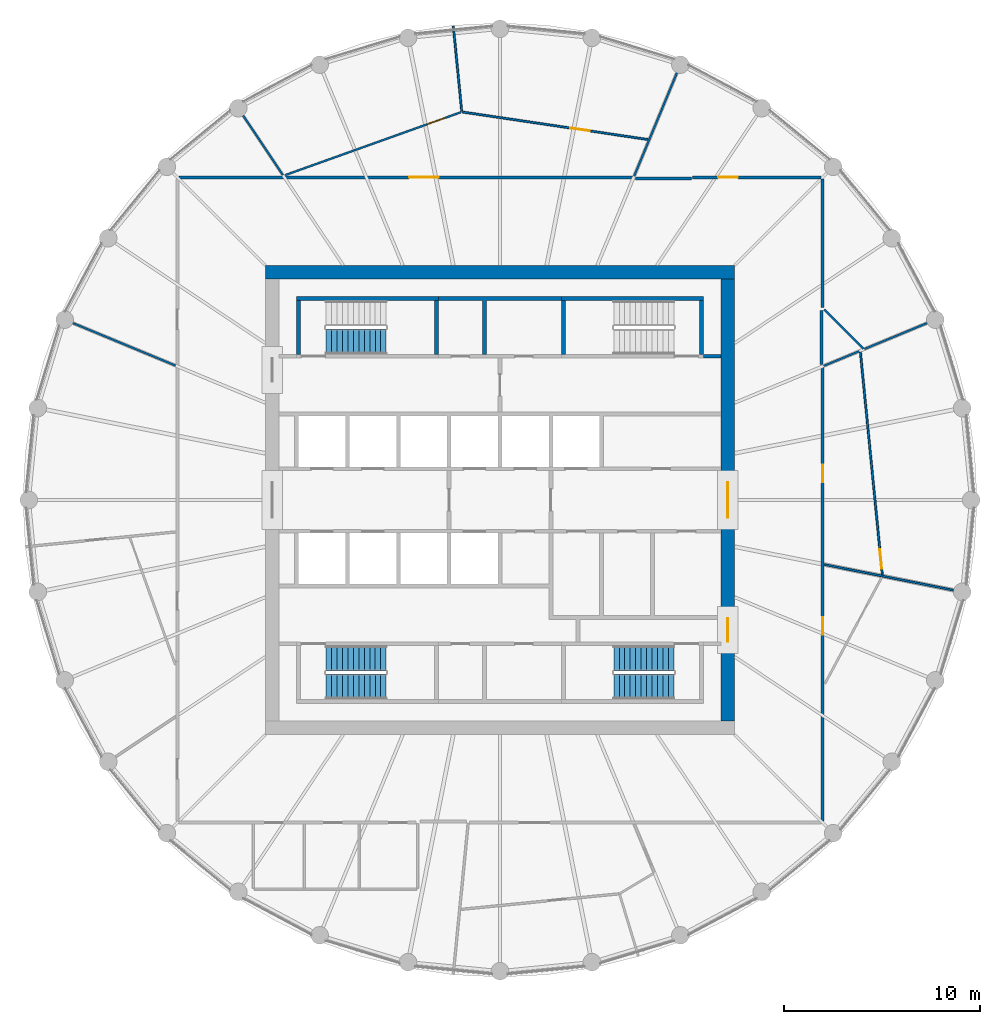
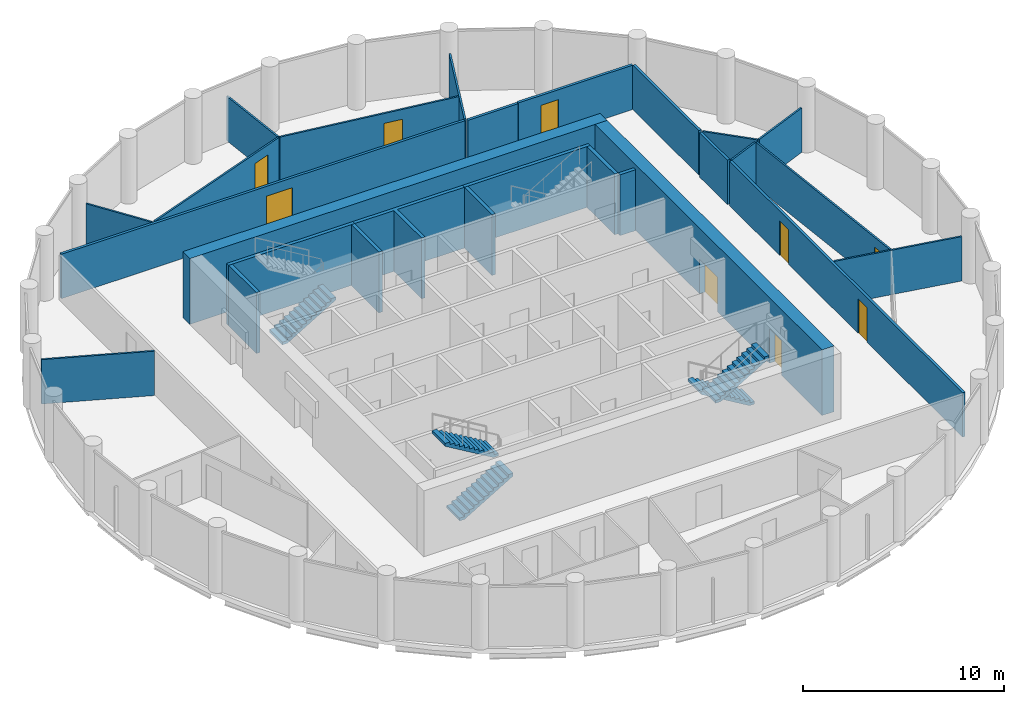
# One storey, part 6 of 8: 27 walls, 9 doors, 5 stair flights, 9 openings, 3 elements without a shape of their own.
"""IFC4 building model written with IfcOpenShell, lengths in metres."""

from ifc_helpers import new_model, si_unit, direction, frame, frame_2d, origin, place, context, subcontext, project, spatial, polyline, rectangle, outline, extrude, material, layer, layer_set, type_object, element, fill, aggregate, save


model = new_model("IFC4")

# Units and contexts
model_context = context("Model", 3, precision=1e-05, world=origin(), true_north=direction((0.0, 1.0)))
body_context = subcontext(model_context, "Body", "Model", "MODEL_VIEW")
ifc_project = project(units=[si_unit("LENGTHUNIT", "METRE"), si_unit("AREAUNIT", "SQUARE_METRE"), si_unit("VOLUMEUNIT", "CUBIC_METRE"), si_unit("PLANEANGLEUNIT", "RADIAN"), si_unit("MASSUNIT", "GRAM", prefix="KILO")], contexts=[model_context])

# Site, building, storey
site_placement = place(None, origin())
site = spatial("IfcSite", under=ifc_project, at=site_placement, CompositionType="ELEMENT")
building_placement = place(site_placement, origin())
building = spatial("IfcBuilding", under=site, at=building_placement, Name="Corvane Civic Tower", CompositionType="ELEMENT")
storey_placement = place(building_placement, frame((0.0, 0.0, 299.0)))
storey = spatial("IfcBuildingStorey", under=building, at=storey_placement, Name="L71", CompositionType="ELEMENT", Elevation=299.0)

# Wall
ifc_material_1 = material(Name="Concrete C40/50", Category="concrete")
ifc_layer_1 = layer(ifc_material_1, 0.699951171875)
ifc_layer_set_1 = layer_set([ifc_layer_1], Name="Concrete C40/50")
wall_type_1 = type_object("IfcWallType", Name="CORE WALL 700 C40/50", PredefinedType="SHEAR", material=ifc_layer_set_1)
wall_1_placement = place(storey_placement, frame((-12.0, 11.64990234375, 0.0), z_axis=(0.0, 0.0, 1.0), x_axis=(1.0, 0.0, 0.0)))
element("IfcWall", 1, at=wall_1_placement, inside=storey, type_object=wall_type_1, Name="W-L71-core-N", PredefinedType="SHEAR", context=body_context, shape_type="SweptSolid", body=[
    extrude(rectangle(XDim=24.0, YDim=0.699951171875, at=frame_2d((12.0, 0.0))), origin(), (0.0, 0.0, 1.0), 4.0),
])

# Wall, openings, doors
wall_2_placement = place(storey_placement, frame((11.64990234375, -11.300048828125, 0.0), z_axis=(0.0, 0.0, 1.0), x_axis=(0.0, 1.0, 0.0)))
wall_2 = element("IfcWall", 2, at=wall_2_placement, inside=storey, type_object=wall_type_1, Name="W-L71-core-E", PredefinedType="SHEAR", context=body_context, shape_type="SweptSolid", body=[
    extrude(rectangle(XDim=22.60009765625, YDim=0.699951171875, at=frame_2d((11.300048828125, 0.0))), origin(), (0.0, 0.0, 1.0), 4.0),
])
opening_1_placement = place(wall_2_placement, frame((10.39990234375, 0.0, 0.0)))
opening_1 = element("IfcOpeningElement", 3, at=opening_1_placement, cuts=wall_2, Name="Opening L71.C18", PredefinedType="OPENING", context=body_context, shape_type="SweptSolid", body=[
    extrude(rectangle(XDim=1.800048828125, YDim=2.10009765625, at=frame_2d((0.89990234375, 1.050048828125))), frame((0.0, 0.35986328125, 0.0), z_axis=(0.0, -1.0, 0.0), x_axis=(1.0, 0.0, 0.0)), (0.0, 0.0, 1.0), 0.719970703125),
])
opening_2_placement = place(wall_2_placement, frame((4.050048828125, 0.0, 0.0)))
opening_2 = element("IfcOpeningElement", 4, at=opening_2_placement, cuts=wall_2, Name="Opening L71.C20", PredefinedType="OPENING", context=body_context, shape_type="SweptSolid", body=[
    extrude(rectangle(XDim=1.199951171875, YDim=2.10009765625, at=frame_2d((0.60009765625, 1.050048828125))), frame((0.0, 0.35986328125, 0.0), z_axis=(0.0, -1.0, 0.0), x_axis=(1.0, 0.0, 0.0)), (0.0, 0.0, 1.0), 0.719970703125),
])
ifc_material_2 = material(Name="Steel fire door leaf", Category="steel")
door_type_1 = type_object("IfcDoorType", Name="CR-DOOR-CORE-1800", OperationType="DOUBLE_DOOR_SINGLE_SWING", PredefinedType="DOOR", material=ifc_material_2)
door_1_placement = place(opening_1_placement, origin())
door_1 = element("IfcDoor", 5, at=door_1_placement, inside=storey, type_object=door_type_1, Name="L71 door", OperationType="DOUBLE_DOOR_SINGLE_SWING", OverallHeight=2.10009765625, OverallWidth=1.800048828125, PredefinedType="DOOR", context=body_context, shape_type="SweptSolid", body=[
    extrude(rectangle(XDim=1.800048828125, YDim=2.10009765625, at=frame_2d((0.89990234375, 1.050048828125))), frame((0.0, 0.02490234375, 0.0), z_axis=(0.0, -1.0, 0.0), x_axis=(1.0, 0.0, 0.0)), (0.0, 0.0, 1.0), 0.050048828125),
])
fill(opening_1, door_1)
door_2_placement = place(opening_2_placement, origin())
door_2 = element("IfcDoor", 6, at=door_2_placement, inside=storey, type_object=door_type_1, Name="L71 door", OperationType="DOUBLE_DOOR_SINGLE_SWING", OverallHeight=2.10009765625, OverallWidth=1.199951171875, PredefinedType="DOOR", context=body_context, shape_type="SweptSolid", body=[
    extrude(rectangle(XDim=1.199951171875, YDim=2.10009765625, at=frame_2d((0.60009765625, 1.050048828125))), frame((0.0, 0.02490234375, 0.0), z_axis=(0.0, -1.0, 0.0), x_axis=(1.0, 0.0, 0.0)), (0.0, 0.0, 1.0), 0.050048828125),
])
fill(opening_2, door_2)

# Walls
ifc_material_3 = material(Name="Concrete C30/37", Category="concrete")
ifc_layer_2 = layer(ifc_material_3, 0.199951171875)
ifc_layer_set_2 = layer_set([ifc_layer_2], Name="Concrete C30/37")
wall_type_2 = type_object("IfcWallType", Name="CR-WALL-200", PredefinedType="PARTITIONING", material=ifc_layer_set_2)
wall_3_placement = place(storey_placement, origin())
element("IfcWall", 7, at=wall_3_placement, inside=storey, type_object=wall_type_2, Name="L71 core partition wall", PredefinedType="PARTITIONING", context=body_context, shape_type="SweptSolid", body=[
    extrude(outline(polyline([(3.14990234375, 10.39990234375), (3.14990234375, 10.199951171875), (-0.699951171875, 10.199951171875), (-0.699951171875, 7.449951171875), (-0.89990234375, 7.449951171875), (-0.89990234375, 10.199951171875), (-3.14990234375, 10.199951171875), (-3.14990234375, 10.39990234375), (3.14990234375, 10.39990234375)])), origin(), (0.0, 0.0, 1.0), 3.699951171875),
])
wall_4_placement = place(storey_placement, origin())
element("IfcWall", 8, at=wall_4_placement, inside=storey, type_object=wall_type_2, Name="L71 core partition wall", PredefinedType="PARTITIONING", context=body_context, shape_type="SweptSolid", body=[
    extrude(outline(polyline([(10.39990234375, 7.25), (10.39990234375, 7.449951171875), (11.300048828125, 7.449951171875), (11.300048828125, 7.25), (10.39990234375, 7.25)])), origin(), (0.0, 0.0, 1.0), 3.699951171875),
])
ifc_material_4 = material(Name="Plasterboard")
ifc_layer_3 = layer(ifc_material_4, 0.10009765625)
ifc_layer_set_3 = layer_set([ifc_layer_3], Name="Plasterboard")
wall_type_3 = type_object("IfcWallType", Name="Partition 100 plasterboard on studs", PredefinedType="PARTITIONING", material=ifc_layer_set_3)
wall_5_placement = place(storey_placement, frame((16.584716796875, -3.298828125, 0.0), z_axis=(0.0, 0.0, 1.0), x_axis=(0.980786617104, -0.195083601849, 0.0)))
element("IfcWall", 9, at=wall_5_placement, inside=storey, type_object=wall_type_3, Name="Partition L71.020", PredefinedType="PARTITIONING", context=body_context, shape_type="SweptSolid", body=[
    extrude(rectangle(XDim=6.73046875, YDim=0.10009765625, at=frame_2d((3.365234375, 0.0))), origin(), (0.0, 0.0, 1.0), 2.699951171875),
])

# Wall, opening, door
wall_6_placement = place(storey_placement, frame((18.433349609375, 7.5654296875, 0.0), z_axis=(0.0, 0.0, 1.0), x_axis=(0.09802300412, -0.995184149122, 0.0)))
wall_6 = element("IfcWall", 10, at=wall_6_placement, inside=storey, type_object=wall_type_3, Name="Partition L71.021", PredefinedType="PARTITIONING", context=body_context, shape_type="SweptSolid", body=[
    extrude(rectangle(XDim=11.444580078125, YDim=0.10009765625, at=frame_2d((5.72216796875, 0.0))), origin(), (0.0, 0.0, 1.0), 2.699951171875),
])
opening_3_placement = place(wall_6_placement, frame((10.14208984375, 0.0, 0.0)))
opening_3 = element("IfcOpeningElement", 11, at=opening_3_placement, cuts=wall_6, Name="Opening L71.002", PredefinedType="OPENING", context=body_context, shape_type="SweptSolid", body=[
    extrude(rectangle(XDim=1.0, YDim=2.10009765625, at=frame_2d((0.5, 1.050048828125))), frame((0.0, 0.06005859375, 0.0), z_axis=(0.0, -1.0, 0.0), x_axis=(1.0, 0.0, 0.0)), (0.0, 0.0, 1.0), 0.1201171875),
])
ifc_material_5 = material(Name="Timber", Category="wood")
door_type_2 = type_object("IfcDoorType", Name="Single door 1000", OperationType="NOTDEFINED", PredefinedType="DOOR", material=ifc_material_5)
door_3_placement = place(opening_3_placement, origin())
door_3 = element("IfcDoor", 12, at=door_3_placement, inside=storey, type_object=door_type_2, Name="Door L71.002", OperationType="SINGLE_SWING_LEFT", OverallHeight=2.10009765625, OverallWidth=1.0, PredefinedType="DOOR", context=body_context, shape_type="SweptSolid", body=[
    extrude(rectangle(XDim=1.0, YDim=2.10009765625, at=frame_2d((0.5, 1.050048828125))), frame((0.0, 0.02490234375, 0.0), z_axis=(0.0, -1.0, 0.0), x_axis=(1.0, 0.0, 0.0)), (0.0, 0.0, 1.0), 0.050048828125),
])
fill(opening_3, door_3)

# Walls
wall_7_placement = place(storey_placement, frame((16.55908203125, 6.85888671875, 0.0), z_axis=(0.0, 0.0, 1.0), x_axis=(0.923884360021, 0.382671777518, 0.0)))
element("IfcWall", 13, at=wall_7_placement, inside=storey, type_object=wall_type_3, Name="Partition L71.023", PredefinedType="PARTITIONING", context=body_context, shape_type="SweptSolid", body=[
    extrude(rectangle(XDim=1.9541015625, YDim=0.10009765625, at=frame_2d((0.97705078125, 0.0))), origin(), (0.0, 0.0, 1.0), 2.699951171875),
])
wall_8_placement = place(storey_placement, frame((-21.84033203125, 9.046630859375, 0.0), z_axis=(0.0, 0.0, 1.0), x_axis=(0.9238800682, -0.382682139097, 0.0)))
element("IfcWall", 14, at=wall_8_placement, inside=storey, type_object=wall_type_3, Name="Partition L71.024", PredefinedType="PARTITIONING", context=body_context, shape_type="SweptSolid", body=[
    extrude(rectangle(XDim=5.6787109375, YDim=0.10009765625, at=frame_2d((2.83935546875, 0.0))), origin(), (0.0, 0.0, 1.0), 2.699951171875),
])
wall_9_placement = place(storey_placement, frame((18.642578125, 7.721923828125, 0.0), z_axis=(0.0, 0.0, 1.0), x_axis=(0.923863801969, 0.382721407046, 0.0)))
element("IfcWall", 15, at=wall_9_placement, inside=storey, type_object=wall_type_3, Name="Partition L71.026", PredefinedType="PARTITIONING", context=body_context, shape_type="SweptSolid", body=[
    extrude(rectangle(XDim=3.461181640625, YDim=0.10009765625, at=frame_2d((1.73046875, 0.0))), origin(), (0.0, 0.0, 1.0), 2.699951171875),
])
wall_10_placement = place(storey_placement, frame((16.575439453125, 9.74560546875, 0.0), z_axis=(0.0, 0.0, 1.0), x_axis=(0.707106781187, -0.707106781187, 0.0)))
element("IfcWall", 16, at=wall_10_placement, inside=storey, type_object=wall_type_3, Name="Partition L71.027", PredefinedType="PARTITIONING", context=body_context, shape_type="SweptSolid", body=[
    extrude(rectangle(XDim=2.846435546875, YDim=0.10009765625, at=frame_2d((1.42333984375, 0.0))), origin(), (0.0, 0.0, 1.0), 2.699951171875),
])
wall_11_placement = place(storey_placement, frame((6.86328125, 16.569091796875, 0.0), z_axis=(0.0, 0.0, 1.0), x_axis=(0.382673022153, 0.923883844494, 0.0)))
element("IfcWall", 17, at=wall_11_placement, inside=storey, type_object=wall_type_3, Name="Partition L71.032", PredefinedType="PARTITIONING", context=body_context, shape_type="SweptSolid", body=[
    extrude(rectangle(XDim=5.70556640625, YDim=0.10009765625, at=frame_2d((2.852783203125, 0.0))), origin(), (0.0, 0.0, 1.0), 2.699951171875),
])
wall_12_placement = place(storey_placement, frame((-13.133544921875, 19.656005859375, 0.0), z_axis=(0.0, 0.0, 1.0), x_axis=(0.555547507872, -0.831484796311, 0.0)))
element("IfcWall", 18, at=wall_12_placement, inside=storey, type_object=wall_type_3, Name="Partition L71.033", PredefinedType="PARTITIONING", context=body_context, shape_type="SweptSolid", body=[
    extrude(rectangle(XDim=3.65576171875, YDim=0.10009765625, at=frame_2d((1.827880859375, 0.0))), origin(), (0.0, 0.0, 1.0), 2.699951171875),
])

# Wall, opening, door
wall_13_placement = place(storey_placement, frame((-10.973388671875, 16.6220703125, 0.0), z_axis=(0.0, 0.0, 1.0), x_axis=(0.94154661976, 0.336882713743, 0.0)))
wall_13 = element("IfcWall", 19, at=wall_13_placement, inside=storey, type_object=wall_type_3, Name="Partition L71.034", PredefinedType="PARTITIONING", context=body_context, shape_type="SweptSolid", body=[
    extrude(rectangle(XDim=9.539306640625, YDim=0.10009765625, at=frame_2d((4.76953125, 0.0))), origin(), (0.0, 0.0, 1.0), 2.699951171875),
])
opening_4_placement = place(wall_13_placement, frame((7.69580078125, 0.0, 0.0)))
opening_4 = element("IfcOpeningElement", 20, at=opening_4_placement, cuts=wall_13, Name="Opening L71.017", PredefinedType="OPENING", context=body_context, shape_type="SweptSolid", body=[
    extrude(rectangle(XDim=1.0, YDim=2.10009765625, at=frame_2d((0.5, 1.050048828125))), frame((0.0, 0.06005859375, 0.0), z_axis=(0.0, -1.0, 0.0), x_axis=(1.0, 0.0, 0.0)), (0.0, 0.0, 1.0), 0.1201171875),
])
door_4_placement = place(opening_4_placement, origin())
door_4 = element("IfcDoor", 21, at=door_4_placement, inside=storey, type_object=door_type_2, Name="Door L71.017", OperationType="SINGLE_SWING_LEFT", OverallHeight=2.10009765625, OverallWidth=1.0, PredefinedType="DOOR", context=body_context, shape_type="SweptSolid", body=[
    extrude(rectangle(XDim=1.0, YDim=2.10009765625, at=frame_2d((0.5, 1.050048828125))), frame((0.0, 0.02490234375, 0.0), z_axis=(0.0, -1.0, 0.0), x_axis=(1.0, 0.0, 0.0)), (0.0, 0.0, 1.0), 0.050048828125),
])
fill(opening_4, door_4)

wall_14_placement = place(storey_placement, frame((-1.916259765625, 19.843017578125, 0.0), z_axis=(0.0, 0.0, 1.0), x_axis=(0.989177063475, -0.146726742943, 0.0)))
wall_14 = element("IfcWall", 22, at=wall_14_placement, inside=storey, type_object=wall_type_3, Name="Partition L71.035", PredefinedType="PARTITIONING", context=body_context, shape_type="SweptSolid", body=[
    extrude(rectangle(XDim=9.589111328125, YDim=0.10009765625, at=frame_2d((4.79443359375, 0.0))), origin(), (0.0, 0.0, 1.0), 2.699951171875),
])
opening_5_placement = place(wall_14_placement, frame((5.57763671875, 0.0, 0.0)))
opening_5 = element("IfcOpeningElement", 23, at=opening_5_placement, cuts=wall_14, Name="Opening L71.018", PredefinedType="OPENING", context=body_context, shape_type="SweptSolid", body=[
    extrude(rectangle(XDim=1.0, YDim=2.10009765625, at=frame_2d((0.5, 1.050048828125))), frame((0.0, 0.06005859375, 0.0), z_axis=(0.0, -1.0, 0.0), x_axis=(1.0, 0.0, 0.0)), (0.0, 0.0, 1.0), 0.1201171875),
])
door_5_placement = place(opening_5_placement, origin())
door_5 = element("IfcDoor", 24, at=door_5_placement, inside=storey, type_object=door_type_2, Name="Door L71.018", OperationType="SINGLE_SWING_RIGHT", OverallHeight=2.10009765625, OverallWidth=1.0, PredefinedType="DOOR", context=body_context, shape_type="SweptSolid", body=[
    extrude(rectangle(XDim=1.0, YDim=2.10009765625, at=frame_2d((0.5, 1.050048828125))), frame((0.0, 0.02490234375, 0.0), z_axis=(0.0, -1.0, 0.0), x_axis=(1.0, 0.0, 0.0)), (0.0, 0.0, 1.0), 0.050048828125),
])
fill(opening_5, door_5)

# Walls
wall_15_placement = place(storey_placement, frame((-2.38671875, 24.23291015625, 0.0), z_axis=(0.0, 0.0, 1.0), x_axis=(0.098019909414, -0.995184453937, 0.0)))
element("IfcWall", 25, at=wall_15_placement, inside=storey, type_object=wall_type_3, Name="Partition L71.036", PredefinedType="PARTITIONING", context=body_context, shape_type="SweptSolid", body=[
    extrude(rectangle(XDim=4.3662109375, YDim=0.10009765625, at=frame_2d((2.18310546875, 0.0))), origin(), (0.0, 0.0, 1.0), 2.699951171875),
])
ifc_material_6 = material(Name="Concrete C50/60", Category="concrete")
ifc_layer_4 = layer(ifc_material_6, 0.199951171875)
ifc_layer_set_4 = layer_set([ifc_layer_4], Name="Concrete C50/60")
wall_type_4 = type_object("IfcWallType", Name="ST-WALL-200", PredefinedType="SHEAR", material=ifc_layer_set_4)
wall_16_placement = place(storey_placement, origin())
element("IfcWall", 26, at=wall_16_placement, inside=storey, type_object=wall_type_4, Name="L71 stair enclosure wall", PredefinedType="SHEAR", context=body_context, shape_type="SweptSolid", body=[
    extrude(outline(polyline([(-3.14990234375, 10.199951171875), (-10.39990234375, 10.199951171875), (-10.39990234375, 10.39990234375), (-3.14990234375, 10.39990234375), (-3.14990234375, 10.199951171875)])), origin(), (0.0, 0.0, 1.0), 3.699951171875),
])
wall_17_placement = place(storey_placement, origin())
element("IfcWall", 27, at=wall_17_placement, inside=storey, type_object=wall_type_4, Name="L71 stair enclosure wall", PredefinedType="SHEAR", context=body_context, shape_type="SweptSolid", body=[
    extrude(outline(polyline([(10.39990234375, 10.199951171875), (3.14990234375, 10.199951171875), (3.14990234375, 10.39990234375), (10.39990234375, 10.39990234375), (10.39990234375, 10.199951171875)])), origin(), (0.0, 0.0, 1.0), 3.699951171875),
])
wall_18_placement = place(storey_placement, origin())
element("IfcWall", 28, at=wall_18_placement, inside=storey, type_object=wall_type_4, Name="L71 stair enclosure wall", PredefinedType="SHEAR", context=body_context, shape_type="SweptSolid", body=[
    extrude(outline(polyline([(-3.14990234375, 7.449951171875), (-3.35009765625, 7.449951171875), (-3.35009765625, 10.199951171875), (-3.14990234375, 10.199951171875), (-3.14990234375, 7.449951171875)])), origin(), (0.0, 0.0, 1.0), 3.699951171875),
])
wall_19_placement = place(storey_placement, origin())
element("IfcWall", 29, at=wall_19_placement, inside=storey, type_object=wall_type_4, Name="L71 stair enclosure wall", PredefinedType="SHEAR", context=body_context, shape_type="SweptSolid", body=[
    extrude(outline(polyline([(3.35009765625, 7.449951171875), (3.14990234375, 7.449951171875), (3.14990234375, 10.199951171875), (3.35009765625, 10.199951171875), (3.35009765625, 7.449951171875)])), origin(), (0.0, 0.0, 1.0), 3.699951171875),
])
wall_20_placement = place(storey_placement, origin())
element("IfcWall", 30, at=wall_20_placement, inside=storey, type_object=wall_type_4, Name="L71 stair enclosure wall", PredefinedType="SHEAR", context=body_context, shape_type="SweptSolid", body=[
    extrude(outline(polyline([(-10.199951171875, 7.449951171875), (-10.39990234375, 7.449951171875), (-10.39990234375, 10.199951171875), (-10.199951171875, 10.199951171875), (-10.199951171875, 7.449951171875)])), origin(), (0.0, 0.0, 1.0), 3.699951171875),
])
wall_21_placement = place(storey_placement, origin())
element("IfcWall", 31, at=wall_21_placement, inside=storey, type_object=wall_type_4, Name="L71 stair enclosure wall", PredefinedType="SHEAR", context=body_context, shape_type="SweptSolid", body=[
    extrude(outline(polyline([(10.39990234375, 7.449951171875), (10.199951171875, 7.449951171875), (10.199951171875, 10.199951171875), (10.39990234375, 10.199951171875), (10.39990234375, 7.449951171875)])), origin(), (0.0, 0.0, 1.0), 3.699951171875),
])

# Wall, openings, doors
ifc_material_7 = material(Name="Plasterboard")
ifc_layer_5 = layer(ifc_material_7, 0.14990234375)
ifc_layer_set_5 = layer_set([ifc_layer_5], Name="Plasterboard")
wall_type_5 = type_object("IfcWallType", Name="Tenancy wall 150 EI 60", PredefinedType="PARTITIONING", material=ifc_layer_set_5)
wall_22_placement = place(storey_placement, frame((16.5, -16.425048828125, 0.0), z_axis=(0.0, 0.0, 1.0), x_axis=(0.0, 1.0, 0.0)))
wall_22 = element("IfcWall", 32, at=wall_22_placement, inside=storey, type_object=wall_type_5, Name="Partition L71.015", PredefinedType="PARTITIONING", context=body_context, shape_type="SweptSolid", body=[
    extrude(rectangle(XDim=23.20947265625, YDim=0.14990234375, at=frame_2d((11.604736328125, 0.0))), origin(), (0.0, 0.0, 1.0), 2.699951171875),
])
opening_6_placement = place(wall_22_placement, frame((17.328369140625, 0.0, 0.0)))
opening_6 = element("IfcOpeningElement", 33, at=opening_6_placement, cuts=wall_22, Name="Opening L71.004", PredefinedType="OPENING", context=body_context, shape_type="SweptSolid", body=[
    extrude(rectangle(XDim=0.89990234375, YDim=2.10009765625, at=frame_2d((0.449951171875, 1.050048828125))), frame((0.0, 0.0849609375, 0.0), z_axis=(0.0, -1.0, 0.0), x_axis=(1.0, 0.0, 0.0)), (0.0, 0.0, 1.0), 0.169921875),
])
opening_7_placement = place(wall_22_placement, frame((9.5244140625, 0.0, 0.0)))
opening_7 = element("IfcOpeningElement", 34, at=opening_7_placement, cuts=wall_22, Name="Opening L71.005", PredefinedType="OPENING", context=body_context, shape_type="SweptSolid", body=[
    extrude(rectangle(XDim=0.89990234375, YDim=2.10009765625, at=frame_2d((0.449951171875, 1.050048828125))), frame((0.0, 0.0849609375, 0.0), z_axis=(0.0, -1.0, 0.0), x_axis=(1.0, 0.0, 0.0)), (0.0, 0.0, 1.0), 0.169921875),
])
ifc_material_8 = material(Name="Steel and timber", Category="steel")
door_type_3 = type_object("IfcDoorType", Name="Fire door FD30S 900", OperationType="NOTDEFINED", PredefinedType="DOOR", material=ifc_material_8)
door_6_placement = place(opening_6_placement, frame((0.89990234375, 0.0, 0.0), z_axis=(0.0, 0.0, 1.0), x_axis=(-1.0, 0.0, 0.0)))
door_6 = element("IfcDoor", 35, at=door_6_placement, inside=storey, type_object=door_type_3, Name="Door L71.004", OperationType="SINGLE_SWING_LEFT", OverallHeight=2.10009765625, OverallWidth=0.89990234375, PredefinedType="DOOR", context=body_context, shape_type="SweptSolid", body=[
    extrude(rectangle(XDim=0.89990234375, YDim=2.10009765625, at=frame_2d((0.449951171875, 1.050048828125))), frame((0.0, 0.02490234375, 0.0), z_axis=(0.0, -1.0, 0.0), x_axis=(1.0, 0.0, 0.0)), (0.0, 0.0, 1.0), 0.050048828125),
])
fill(opening_6, door_6)
door_7_placement = place(opening_7_placement, frame((0.89990234375, 0.0, 0.0), z_axis=(0.0, 0.0, 1.0), x_axis=(-1.0, 0.0, 0.0)))
door_7 = element("IfcDoor", 36, at=door_7_placement, inside=storey, type_object=door_type_3, Name="Door L71.005", OperationType="SINGLE_SWING_LEFT", OverallHeight=2.10009765625, OverallWidth=0.89990234375, PredefinedType="DOOR", context=body_context, shape_type="SweptSolid", body=[
    extrude(rectangle(XDim=0.89990234375, YDim=2.10009765625, at=frame_2d((0.449951171875, 1.050048828125))), frame((0.0, 0.02490234375, 0.0), z_axis=(0.0, -1.0, 0.0), x_axis=(1.0, 0.0, 0.0)), (0.0, 0.0, 1.0), 0.050048828125),
])
fill(opening_7, door_7)

# Walls
wall_23_placement = place(storey_placement, frame((16.449951171875, 6.926025390625, 0.0), z_axis=(0.0, 0.0, 1.0), x_axis=(0.0, 1.0, 0.0)))
element("IfcWall", 37, at=wall_23_placement, inside=storey, type_object=wall_type_5, Name="Partition L71.025", PredefinedType="PARTITIONING", context=body_context, shape_type="SweptSolid", body=[
    extrude(rectangle(XDim=2.763916015625, YDim=0.14990234375, at=frame_2d((1.3818359375, 0.0))), origin(), (0.0, 0.0, 1.0), 2.699951171875),
])
wall_24_placement = place(storey_placement, frame((16.5, 9.85205078125, 0.0), z_axis=(0.0, 0.0, 1.0), x_axis=(0.0, 1.0, 0.0)))
element("IfcWall", 38, at=wall_24_placement, inside=storey, type_object=wall_type_5, Name="Partition L71.028", PredefinedType="PARTITIONING", context=body_context, shape_type="SweptSolid", body=[
    extrude(rectangle(XDim=6.572998046875, YDim=0.14990234375, at=frame_2d((3.28662109375, 0.0))), origin(), (0.0, 0.0, 1.0), 2.699951171875),
])
wall_25_placement = place(storey_placement, frame((6.926025390625, 16.449951171875, 0.0), z_axis=(0.0, 0.0, 1.0), x_axis=(1.0, 0.0, 0.0)))
element("IfcWall", 39, at=wall_25_placement, inside=storey, type_object=wall_type_5, Name="Partition L71.029", PredefinedType="PARTITIONING", context=body_context, shape_type="SweptSolid", body=[
    extrude(rectangle(XDim=2.86669921875, YDim=0.14990234375, at=frame_2d((1.433349609375, 0.0))), origin(), (0.0, 0.0, 1.0), 2.699951171875),
])

# Wall, opening, door
wall_26_placement = place(storey_placement, frame((-16.425048828125, 16.5, 0.0), z_axis=(0.0, 0.0, 1.0), x_axis=(1.0, 0.0, 0.0)))
wall_26 = element("IfcWall", 40, at=wall_26_placement, inside=storey, type_object=wall_type_5, Name="Partition L71.030", PredefinedType="PARTITIONING", context=body_context, shape_type="SweptSolid", body=[
    extrude(rectangle(XDim=23.20947265625, YDim=0.14990234375, at=frame_2d((11.604736328125, 0.0))), origin(), (0.0, 0.0, 1.0), 2.699951171875),
])
opening_8_placement = place(wall_26_placement, frame((11.780029296875, 0.0, 0.0)))
opening_8 = element("IfcOpeningElement", 41, at=opening_8_placement, cuts=wall_26, Name="Opening L71.019", PredefinedType="OPENING", context=body_context, shape_type="SweptSolid", body=[
    extrude(rectangle(XDim=1.5, YDim=2.10009765625, at=frame_2d((0.75, 1.050048828125))), frame((0.0, 0.0849609375, 0.0), z_axis=(0.0, -1.0, 0.0), x_axis=(1.0, 0.0, 0.0)), (0.0, 0.0, 1.0), 0.169921875),
])
ifc_material_9 = material(Name="Steel and timber", Category="steel")
door_type_4 = type_object("IfcDoorType", Name="Fire door FD60 double 1500", OperationType="NOTDEFINED", PredefinedType="DOOR", material=ifc_material_9)
door_8_placement = place(opening_8_placement, origin())
door_8 = element("IfcDoor", 42, at=door_8_placement, inside=storey, type_object=door_type_4, Name="Door L71.019", OperationType="DOUBLE_DOOR_SINGLE_SWING", OverallHeight=2.10009765625, OverallWidth=1.5, PredefinedType="DOOR", context=body_context, shape_type="SweptSolid", body=[
    extrude(rectangle(XDim=1.5, YDim=2.10009765625, at=frame_2d((0.75, 1.050048828125))), frame((0.0, 0.02490234375, 0.0), z_axis=(0.0, -1.0, 0.0), x_axis=(1.0, 0.0, 0.0)), (0.0, 0.0, 1.0), 0.050048828125),
])
fill(opening_8, door_8)

wall_27_placement = place(storey_placement, frame((9.8427734375, 16.5, 0.0), z_axis=(0.0, 0.0, 1.0), x_axis=(1.0, 0.0, 0.0)))
wall_27 = element("IfcWall", 43, at=wall_27_placement, inside=storey, type_object=wall_type_5, Name="Partition L71.031", PredefinedType="PARTITIONING", context=body_context, shape_type="SweptSolid", body=[
    extrude(rectangle(XDim=6.582275390625, YDim=0.14990234375, at=frame_2d((3.291015625, 0.0))), origin(), (0.0, 0.0, 1.0), 2.699951171875),
])
opening_9_placement = place(wall_27_placement, frame((1.319091796875, 0.0, 0.0)))
opening_9 = element("IfcOpeningElement", 44, at=opening_9_placement, cuts=wall_27, Name="Opening L71.001", PredefinedType="OPENING", context=body_context, shape_type="SweptSolid", body=[
    extrude(rectangle(XDim=1.0, YDim=2.10009765625, at=frame_2d((0.5, 1.050048828125))), frame((0.0, 0.0849609375, 0.0), z_axis=(0.0, -1.0, 0.0), x_axis=(1.0, 0.0, 0.0)), (0.0, 0.0, 1.0), 0.169921875),
])
ifc_material_10 = material(Name="Steel and timber", Category="steel")
door_type_5 = type_object("IfcDoorType", Name="Fire door FD30S 1000", OperationType="NOTDEFINED", PredefinedType="DOOR", material=ifc_material_10)
door_9_placement = place(opening_9_placement, origin())
door_9 = element("IfcDoor", 45, at=door_9_placement, inside=storey, type_object=door_type_5, Name="Door L71.001", OperationType="SINGLE_SWING_LEFT", OverallHeight=2.10009765625, OverallWidth=1.0, PredefinedType="DOOR", context=body_context, shape_type="SweptSolid", body=[
    extrude(rectangle(XDim=1.0, YDim=2.10009765625, at=frame_2d((0.5, 1.050048828125))), frame((0.0, 0.02490234375, 0.0), z_axis=(0.0, -1.0, 0.0), x_axis=(1.0, 0.0, 0.0)), (0.0, 0.0, 1.0), 0.050048828125),
])
fill(opening_9, door_9)

# Stair, stair flights
ifc_material_11 = material(Name="Concrete C40/50", Category="concrete")
stair_type = type_object("IfcStairType", Name="ST-STAIR-HALFTURN", PredefinedType="HALF_TURN_STAIR", material=ifc_material_11)
stair_1_placement = place(storey_placement, origin())
stair_1 = element("IfcStair", 46, at=stair_1_placement, inside=storey, type_object=stair_type, Name="L71 Exit stair ST2", PredefinedType="HALF_TURN_STAIR")
ifc_material_12 = material(Name="Concrete C40/50", Category="concrete")
stair_flight_type = type_object("IfcStairFlightType", Name="ST-FLIGHT-RC", PredefinedType="STRAIGHT", material=ifc_material_12)
stair_flight_1_placement = place(storey_placement, frame((8.89990234375, -8.10009765625, 0.0), z_axis=(0.0, 0.0, 1.0), x_axis=(-1.0, 0.0, 0.0)))
stair_flight_1 = element("IfcStairFlight", 47, at=stair_flight_1_placement, type_object=stair_flight_type, Name="ST2 flight 1", NumberOfRisers=12, NumberOfTreads=11, PredefinedType="STRAIGHT", RiserHeight=0.166666667, TreadLength=0.28, context=body_context, shape_type="SweptSolid", body=[
    extrude(outline(polyline([(0.0, 0.0), (0.0, 0.166748046875), (0.280029296875, 0.166748046875), (0.280029296875, 0.333251953125), (0.56005859375, 0.333251953125), (0.56005859375, 0.5), (0.840087890625, 0.5), (0.840087890625, 0.666748046875), (1.1201171875, 0.666748046875), (1.1201171875, 0.833251953125), (1.39990234375, 0.833251953125), (1.39990234375, 1.0), (1.679931640625, 1.0), (1.679931640625, 1.166748046875), (1.9599609375, 1.166748046875), (1.9599609375, 1.333251953125), (2.239990234375, 1.333251953125), (2.239990234375, 1.5), (2.52001953125, 1.5), (2.52001953125, 1.666748046875), (2.800048828125, 1.666748046875), (2.800048828125, 1.833251953125), (3.080078125, 1.833251953125), (3.080078125, 2.0), (3.080078125, 1.658935546875), (0.29296875, 0.0), (0.0, 0.0)])), frame((0.0, 0.64990234375, 0.0), z_axis=(0.0, -1.0, 0.0), x_axis=(1.0, 0.0, 0.0)), (0.0, 0.0, 1.0), 1.300048828125),
])
stair_flight_2_placement = place(storey_placement, frame((5.820068359375, -9.550048828125, 2.0), z_axis=(0.0, 0.0, 1.0), x_axis=(1.0, 0.0, 0.0)))
stair_flight_2 = element("IfcStairFlight", 48, at=stair_flight_2_placement, type_object=stair_flight_type, Name="ST2 flight 2", NumberOfRisers=12, NumberOfTreads=11, PredefinedType="STRAIGHT", RiserHeight=0.166666667, TreadLength=0.28, context=body_context, shape_type="SweptSolid", body=[
    extrude(outline(polyline([(0.0, 0.0), (0.0, 0.166748046875), (0.280029296875, 0.166748046875), (0.280029296875, 0.333251953125), (0.56005859375, 0.333251953125), (0.56005859375, 0.5), (0.840087890625, 0.5), (0.840087890625, 0.666748046875), (1.1201171875, 0.666748046875), (1.1201171875, 0.833251953125), (1.39990234375, 0.833251953125), (1.39990234375, 1.0), (1.679931640625, 1.0), (1.679931640625, 1.166748046875), (1.9599609375, 1.166748046875), (1.9599609375, 1.333251953125), (2.239990234375, 1.333251953125), (2.239990234375, 1.5), (2.52001953125, 1.5), (2.52001953125, 1.666748046875), (2.800048828125, 1.666748046875), (2.800048828125, 1.833251953125), (3.080078125, 1.833251953125), (3.080078125, 2.0), (3.080078125, 1.658935546875), (0.29296875, 0.0), (0.0, 0.0)])), frame((0.0, 0.64990234375, 0.0), z_axis=(0.0, -1.0, 0.0), x_axis=(1.0, 0.0, 0.0)), (0.0, 0.0, 1.0), 1.300048828125),
])
aggregate(stair_1, [stair_flight_1, stair_flight_2])

stair_2_placement = place(storey_placement, origin())
stair_2 = element("IfcStair", 49, at=stair_2_placement, inside=storey, type_object=stair_type, Name="L71 Exit stair ST3", PredefinedType="HALF_TURN_STAIR")
stair_flight_3_placement = place(storey_placement, frame((-8.89990234375, -9.550048828125, 0.0), z_axis=(0.0, 0.0, 1.0), x_axis=(1.0, 0.0, 0.0)))
stair_flight_3 = element("IfcStairFlight", 50, at=stair_flight_3_placement, type_object=stair_flight_type, Name="ST3 flight 1", NumberOfRisers=12, NumberOfTreads=11, PredefinedType="STRAIGHT", RiserHeight=0.166666667, TreadLength=0.28, context=body_context, shape_type="SweptSolid", body=[
    extrude(outline(polyline([(0.0, 0.0), (0.0, 0.166748046875), (0.280029296875, 0.166748046875), (0.280029296875, 0.333251953125), (0.56005859375, 0.333251953125), (0.56005859375, 0.5), (0.840087890625, 0.5), (0.840087890625, 0.666748046875), (1.1201171875, 0.666748046875), (1.1201171875, 0.833251953125), (1.39990234375, 0.833251953125), (1.39990234375, 1.0), (1.679931640625, 1.0), (1.679931640625, 1.166748046875), (1.9599609375, 1.166748046875), (1.9599609375, 1.333251953125), (2.239990234375, 1.333251953125), (2.239990234375, 1.5), (2.52001953125, 1.5), (2.52001953125, 1.666748046875), (2.800048828125, 1.666748046875), (2.800048828125, 1.833251953125), (3.080078125, 1.833251953125), (3.080078125, 2.0), (3.080078125, 1.658935546875), (0.29296875, 0.0), (0.0, 0.0)])), frame((0.0, 0.64990234375, 0.0), z_axis=(0.0, -1.0, 0.0), x_axis=(1.0, 0.0, 0.0)), (0.0, 0.0, 1.0), 1.300048828125),
])
stair_flight_4_placement = place(storey_placement, frame((-5.820068359375, -8.10009765625, 2.0), z_axis=(0.0, 0.0, 1.0), x_axis=(-1.0, 0.0, 0.0)))
stair_flight_4 = element("IfcStairFlight", 51, at=stair_flight_4_placement, type_object=stair_flight_type, Name="ST3 flight 2", NumberOfRisers=12, NumberOfTreads=11, PredefinedType="STRAIGHT", RiserHeight=0.166666667, TreadLength=0.28, context=body_context, shape_type="SweptSolid", body=[
    extrude(outline(polyline([(0.0, 0.0), (0.0, 0.166748046875), (0.280029296875, 0.166748046875), (0.280029296875, 0.333251953125), (0.56005859375, 0.333251953125), (0.56005859375, 0.5), (0.840087890625, 0.5), (0.840087890625, 0.666748046875), (1.1201171875, 0.666748046875), (1.1201171875, 0.833251953125), (1.39990234375, 0.833251953125), (1.39990234375, 1.0), (1.679931640625, 1.0), (1.679931640625, 1.166748046875), (1.9599609375, 1.166748046875), (1.9599609375, 1.333251953125), (2.239990234375, 1.333251953125), (2.239990234375, 1.5), (2.52001953125, 1.5), (2.52001953125, 1.666748046875), (2.800048828125, 1.666748046875), (2.800048828125, 1.833251953125), (3.080078125, 1.833251953125), (3.080078125, 2.0), (3.080078125, 1.658935546875), (0.29296875, 0.0), (0.0, 0.0)])), frame((0.0, 0.64990234375, 0.0), z_axis=(0.0, -1.0, 0.0), x_axis=(1.0, 0.0, 0.0)), (0.0, 0.0, 1.0), 1.300048828125),
])
aggregate(stair_2, [stair_flight_3, stair_flight_4])

# Stair, stair flight
stair_3_placement = place(storey_placement, origin())
stair_3 = element("IfcStair", 52, at=stair_3_placement, inside=storey, type_object=stair_type, Name="L71 Exit stair ST4", PredefinedType="HALF_TURN_STAIR")
stair_flight_5_placement = place(storey_placement, frame((-8.89990234375, 8.10009765625, 0.0), z_axis=(0.0, 0.0, 1.0), x_axis=(1.0, 0.0, 0.0)))
stair_flight_5 = element("IfcStairFlight", 53, at=stair_flight_5_placement, type_object=stair_flight_type, Name="ST4 flight 1", NumberOfRisers=12, NumberOfTreads=11, PredefinedType="STRAIGHT", RiserHeight=0.166666667, TreadLength=0.28, context=body_context, shape_type="SweptSolid", body=[
    extrude(outline(polyline([(0.0, 0.0), (0.0, 0.166748046875), (0.280029296875, 0.166748046875), (0.280029296875, 0.333251953125), (0.56005859375, 0.333251953125), (0.56005859375, 0.5), (0.840087890625, 0.5), (0.840087890625, 0.666748046875), (1.1201171875, 0.666748046875), (1.1201171875, 0.833251953125), (1.39990234375, 0.833251953125), (1.39990234375, 1.0), (1.679931640625, 1.0), (1.679931640625, 1.166748046875), (1.9599609375, 1.166748046875), (1.9599609375, 1.333251953125), (2.239990234375, 1.333251953125), (2.239990234375, 1.5), (2.52001953125, 1.5), (2.52001953125, 1.666748046875), (2.800048828125, 1.666748046875), (2.800048828125, 1.833251953125), (3.080078125, 1.833251953125), (3.080078125, 2.0), (3.080078125, 1.658935546875), (0.29296875, 0.0), (0.0, 0.0)])), frame((0.0, 0.64990234375, 0.0), z_axis=(0.0, -1.0, 0.0), x_axis=(1.0, 0.0, 0.0)), (0.0, 0.0, 1.0), 1.300048828125),
])
aggregate(stair_3, [stair_flight_5])

save(model, "model.ifc")
